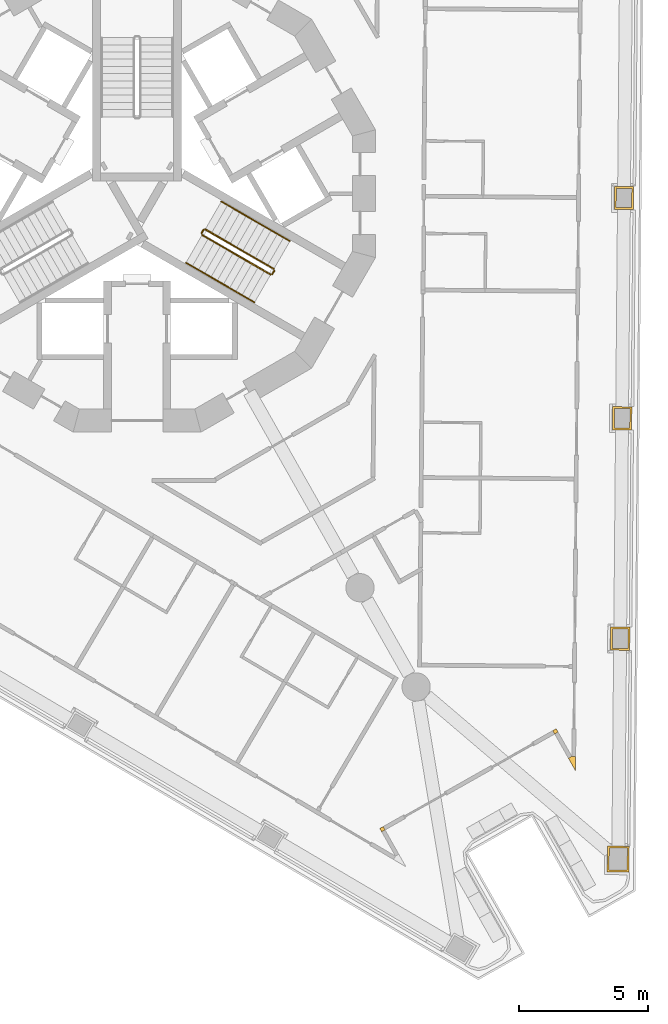
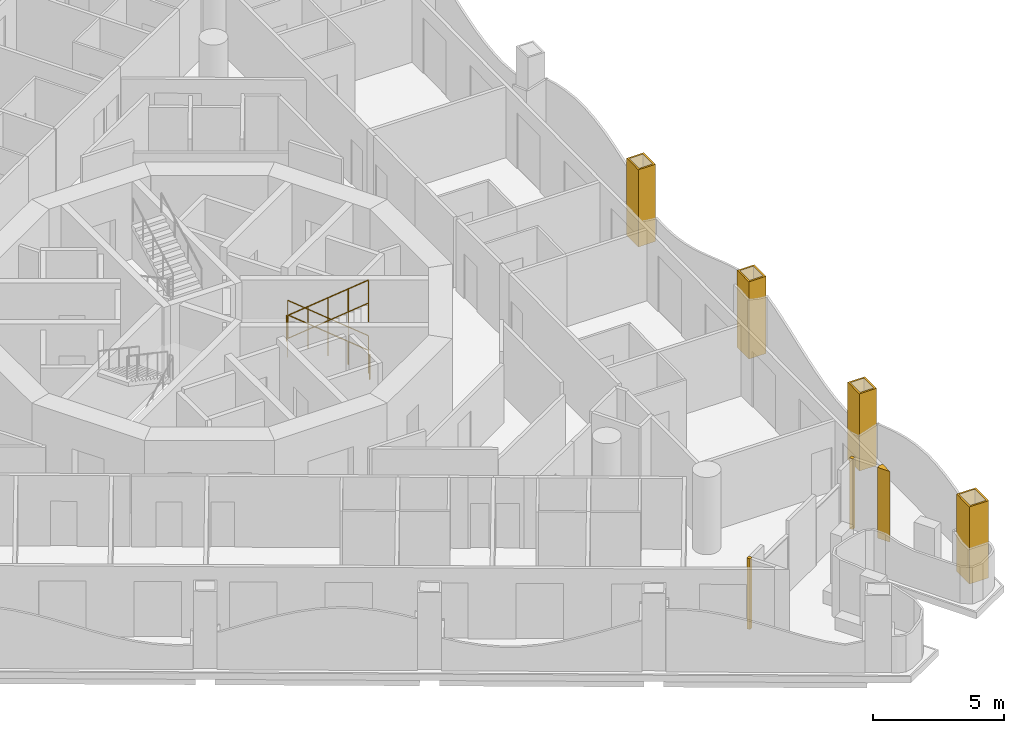
# One storey, part 14 of 17: 8 railings, 7 coverings.
"""IFC4 building model written with IfcOpenShell, lengths in metres."""

from ifc_helpers import new_model, si_unit, direction, frame, origin, origin_2d, place, context, subcontext, project, spatial, polyline, circle, outline, extrude, material, layer, layer_set, type_object, element, save


model = new_model("IFC4")

# Units and contexts
model_context = context("Model", 3, precision=1e-05, world=origin(), true_north=direction((0.0, 1.0)))
body_context = subcontext(model_context, "Body", "Model", "MODEL_VIEW")
ifc_project = project(units=[si_unit("LENGTHUNIT", "METRE"), si_unit("AREAUNIT", "SQUARE_METRE"), si_unit("VOLUMEUNIT", "CUBIC_METRE"), si_unit("PLANEANGLEUNIT", "RADIAN"), si_unit("MASSUNIT", "GRAM", prefix="KILO")], contexts=[model_context])

# Site, building, storey
site_placement = place(None, origin())
site = spatial("IfcSite", under=ifc_project, at=site_placement, CompositionType="ELEMENT")
building_placement = place(site_placement, origin())
building = spatial("IfcBuilding", under=site, at=building_placement, Name="Trine Commons Tower", CompositionType="ELEMENT")
storey_placement = place(building_placement, frame((0.0, 0.0, 182.699951171875)))
storey = spatial("IfcBuildingStorey", under=building, at=storey_placement, Name="L47", CompositionType="ELEMENT", Elevation=182.699951171875)

# Coverings
ifc_material_1 = material(Name="Aluminium-framed insulated wall panel", Category="aluminium")
ifc_layer_1 = layer(ifc_material_1, 0.14990234375)
ifc_layer_set_1 = layer_set([ifc_layer_1], Name="Aluminium-framed insulated wall panel")
covering_type_1 = type_object("IfcCoveringType", Name="Glazing corner post, aluminium", PredefinedType="CLADDING", material=ifc_layer_set_1)
covering_1_placement = place(storey_placement, origin())
element("IfcCovering", 1, at=covering_1_placement, inside=storey, type_object=covering_type_1, Name="Glazing corner post 5-09", PredefinedType="CLADDING", context=body_context, shape_type="SweptSolid", body=[
    extrude(outline(polyline([(96.776611328125, 40.5439453125), (97.05224609375, 40.056640625), (97.05712890625, 40.616455078125), (96.9072265625, 40.617919921875), (96.9072265625, 40.617919921875), (96.776611328125, 40.5439453125)])), origin(), (0.0, 0.0, 1.0), 3.300048828125),
])
covering_2_placement = place(storey_placement, origin())
element("IfcCovering", 2, at=covering_2_placement, inside=storey, type_object=covering_type_1, Name="Glazing corner post 5-10", PredefinedType="CLADDING", context=body_context, shape_type="SweptSolid", body=[
    extrude(outline(polyline([(96.168212890625, 41.619384765625), (96.241943359375, 41.489013671875), (96.37255859375, 41.562744140625), (96.298583984375, 41.693359375), (96.168212890625, 41.619384765625)])), origin(), (0.0, 0.0, 1.0), 3.300048828125),
])
covering_3_placement = place(storey_placement, origin())
element("IfcCovering", 3, at=covering_3_placement, inside=storey, type_object=covering_type_1, Name="Glazing corner post 5-11", PredefinedType="CLADDING", context=body_context, shape_type="SweptSolid", body=[
    extrude(outline(polyline([(89.51416015625, 37.6826171875), (89.644775390625, 37.75634765625), (89.57080078125, 37.886962890625), (89.440185546875, 37.81298828125), (89.51416015625, 37.6826171875)])), origin(), (0.0, 0.0, 1.0), 3.300048828125),
])
ifc_material_2 = material(Name="Limestone, honed", Category="masonry")
ifc_layer_2 = layer(ifc_material_2, 0.074951171875)
ifc_layer_set_2 = layer_set([ifc_layer_2], Name="Limestone, honed")
covering_type_2 = type_object("IfcCoveringType", Name="Limestone column cladding 75", PredefinedType="CLADDING", material=ifc_layer_set_2)
covering_4_placement = place(storey_placement, origin())
element("IfcCovering", 4, at=covering_4_placement, inside=storey, type_object=covering_type_2, Name="Limestone pier cladding 5-18", PredefinedType="CLADDING", context=body_context, shape_type="SweptSolid", body=[
    extrude(outline(polyline([(99.315673828125, 62.781494140625), (98.565673828125, 62.7880859375), (98.557861328125, 61.887939453125), (99.307861328125, 61.88134765625), (99.315673828125, 62.781494140625)]), holes=[polyline([(99.239990234375, 62.70703125), (98.64013671875, 62.71240234375), (98.633544921875, 61.96240234375), (99.2333984375, 61.95703125), (99.239990234375, 62.70703125)])]), origin(), (0.0, 0.0, 1.0), 3.60009765625),
])
covering_5_placement = place(storey_placement, origin())
element("IfcCovering", 5, at=covering_5_placement, inside=storey, type_object=covering_type_2, Name="Limestone pier cladding 5-19", PredefinedType="CLADDING", context=body_context, shape_type="SweptSolid", body=[
    extrude(outline(polyline([(99.240966796875, 54.211181640625), (98.490966796875, 54.2177734375), (98.483154296875, 53.31787109375), (99.233154296875, 53.311279296875), (99.240966796875, 54.211181640625)]), holes=[polyline([(99.165283203125, 54.136962890625), (98.565185546875, 54.14208984375), (98.55859375, 53.39208984375), (99.15869140625, 53.386962890625), (99.165283203125, 54.136962890625)])]), origin(), (0.0, 0.0, 1.0), 3.60009765625),
])
covering_6_placement = place(storey_placement, origin())
element("IfcCovering", 6, at=covering_6_placement, inside=storey, type_object=covering_type_2, Name="Limestone pier cladding 5-20", PredefinedType="CLADDING", context=body_context, shape_type="SweptSolid", body=[
    extrude(outline(polyline([(99.166015625, 45.640869140625), (98.416015625, 45.6474609375), (98.408203125, 44.74755859375), (99.158203125, 44.740966796875), (99.166015625, 45.640869140625)]), holes=[polyline([(99.090576171875, 45.566650390625), (98.490478515625, 45.57177734375), (98.48388671875, 44.82177734375), (99.083984375, 44.816650390625), (99.090576171875, 45.566650390625)])]), origin(), (0.0, 0.0, 1.0), 3.60009765625),
])
covering_7_placement = place(storey_placement, origin())
element("IfcCovering", 7, at=covering_7_placement, inside=storey, type_object=covering_type_2, Name="Limestone pier cladding 5-21", PredefinedType="CLADDING", context=body_context, shape_type="SweptSolid", body=[
    extrude(outline(polyline([(99.1416015625, 37.1201171875), (98.291748046875, 37.127685546875), (98.283203125, 36.127685546875), (99.133056640625, 36.1201171875), (99.1416015625, 37.1201171875)]), holes=[polyline([(99.066162109375, 37.0458984375), (98.3662109375, 37.052001953125), (98.358642578125, 36.201904296875), (99.05859375, 36.19580078125), (99.066162109375, 37.0458984375)])]), origin(), (0.0, 0.0, 1.0), 3.60009765625),
])

# Railings
ifc_material_3 = material(Name="Stainless steel balustrade", Category="steel")
railing_type_1 = type_object("IfcRailingType", Name="Stair guard, steel balustrade 1100", PredefinedType="GUARDRAIL", material=ifc_material_3)
railing_1_placement = place(storey_placement, frame((85.31982421875, 59.572998046875, 0.150146484375)))
element("IfcRailing", 8, at=railing_1_placement, inside=storey, type_object=railing_type_1, Name="L47 ST3B stair guard 1", PredefinedType="GUARDRAIL", context=body_context, shape_type="SweptSolid", body=[
    extrude(circle(Radius=0.02392578125, at=origin_2d()), frame((0.0, 0.0, 1.076171875), z_axis=(-0.76340495495, 0.440743040072, 0.472184759798), x_axis=(-0.499992328818, -0.866029832698, 0.0)), (0.0, 0.0, 1.0), 3.494140625),
    extrude(circle(Radius=0.02099609375, at=origin_2d()), origin(), (0.0, 0.0, 1.0), 1.052001953125),
    extrude(circle(Radius=0.02099609375, at=origin_2d()), frame((-0.6669921875, 0.385009765625, 0.41259765625)), (0.0, 0.0, 1.0), 1.052001953125),
    extrude(circle(Radius=0.02099609375, at=origin_2d()), frame((-1.333740234375, 0.77001953125, 0.824951171875)), (0.0, 0.0, 1.0), 1.052001953125),
    extrude(circle(Radius=0.02099609375, at=origin_2d()), frame((-2.00048828125, 1.155029296875, 1.2373046875)), (0.0, 0.0, 1.0), 1.052001953125),
    extrude(circle(Radius=0.02099609375, at=origin_2d()), frame((-2.66748046875, 1.5400390625, 1.64990234375)), (0.0, 0.0, 1.0), 1.052001953125),
])
railing_2_placement = place(storey_placement, frame((82.584228515625, 61.0947265625, 1.800048828125)))
element("IfcRailing", 9, at=railing_2_placement, inside=storey, type_object=railing_type_1, Name="L47 ST3B stair guard 2", PredefinedType="GUARDRAIL", context=body_context, shape_type="SweptSolid", body=[
    extrude(circle(Radius=0.02392578125, at=origin_2d()), frame((0.0, 0.0, 1.076171875), z_axis=(-0.501036270542, -0.865426285481, 0.0), x_axis=(0.865426285481, -0.501036270542, 0.0)), (0.0, 0.0, 1.0), 0.150146484375),
    extrude(circle(Radius=0.02099609375, at=origin_2d()), origin(), (0.0, 0.0, 1.0), 1.052001953125),
    extrude(circle(Radius=0.02099609375, at=origin_2d()), frame((-0.0751953125, -0.1298828125, 0.0)), (0.0, 0.0, 1.0), 1.052001953125),
])
railing_3_placement = place(storey_placement, frame((82.52734375, 60.896484375, 1.949951171875)))
element("IfcRailing", 10, at=railing_3_placement, inside=storey, type_object=railing_type_1, Name="L47 ST3B stair guard 3", PredefinedType="GUARDRAIL", context=body_context, shape_type="SweptSolid", body=[
    extrude(circle(Radius=0.02392578125, at=origin_2d()), frame((0.0, 0.0, 1.076171875), z_axis=(0.763379768245, -0.440728498818, 0.472239049384), x_axis=(0.499992328818, 0.866029832698, 0.0)), (0.0, 0.0, 1.0), 3.494384765625),
    extrude(circle(Radius=0.02099609375, at=origin_2d()), origin(), (0.0, 0.0, 1.0), 1.052001953125),
    extrude(circle(Radius=0.02099609375, at=origin_2d()), frame((0.6669921875, -0.385009765625, 0.41259765625)), (0.0, 0.0, 1.0), 1.052001953125),
    extrude(circle(Radius=0.02099609375, at=origin_2d()), frame((1.333740234375, -0.77001953125, 0.8251953125)), (0.0, 0.0, 1.0), 1.052001953125),
    extrude(circle(Radius=0.02099609375, at=origin_2d()), frame((2.00048828125, -1.155029296875, 1.237548828125)), (0.0, 0.0, 1.0), 1.052001953125),
    extrude(circle(Radius=0.02099609375, at=origin_2d()), frame((2.66748046875, -1.5400390625, 1.650146484375)), (0.0, 0.0, 1.0), 1.052001953125),
])
railing_4_placement = place(storey_placement, frame((85.338134765625, 59.504638671875, 0.0)))
element("IfcRailing", 11, at=railing_4_placement, inside=storey, type_object=railing_type_1, Name="L47 ST3B stair guard 4", PredefinedType="GUARDRAIL", context=body_context, shape_type="SweptSolid", body=[
    extrude(circle(Radius=0.02392578125, at=origin_2d()), frame((0.0, 0.0, 1.076171875), z_axis=(-0.499816412211, -0.866131372301, 0.0), x_axis=(0.866131372301, -0.499816412211, 0.0)), (0.0, 0.0, 1.0), 0.14990234375),
    extrude(circle(Radius=0.02099609375, at=origin_2d()), origin(), (0.0, 0.0, 1.0), 1.052001953125),
    extrude(circle(Radius=0.02099609375, at=origin_2d()), frame((-0.074951171875, -0.1298828125, 0.0)), (0.0, 0.0, 1.0), 1.052001953125),
])
ifc_material_4 = material(Name="Stainless steel handrail", Category="steel")
railing_type_2 = type_object("IfcRailingType", Name="Stair handrail, steel 900", PredefinedType="HANDRAIL", material=ifc_material_4)
for number, where, name in (
    (12, (85.94482421875, 60.655517578125, 0.150146484375), "L47 ST3B stair handrail 1"),
    (13, (84.611083984375, 61.425537109375, 0.97509765625), "L47 ST3B stair handrail 2"),
):
    element("IfcRailing", number, at=place(storey_placement, frame(where)), inside=storey, type_object=railing_type_2, Name=name, PredefinedType="HANDRAIL", context=body_context, shape_type="SweptSolid", body=[
        extrude(circle(Radius=0.02099609375, at=origin_2d()), frame((0.0, 0.0, 0.87890625), z_axis=(-0.76340495495, 0.440743040072, 0.472184759798), x_axis=(-0.499992328818, -0.866029832698, 0.0)), (0.0, 0.0, 1.0), 1.7470703125),
        extrude(circle(Radius=0.01513671875, at=origin_2d()), origin(), (0.0, 0.0, 1.0), 0.85791015625),
        extrude(circle(Radius=0.01513671875, at=origin_2d()), frame((-0.6669921875, 0.385009765625, 0.41259765625)), (0.0, 0.0, 1.0), 0.85791015625),
        extrude(circle(Radius=0.01513671875, at=origin_2d()), frame((-1.333740234375, 0.77001953125, 0.824951171875)), (0.0, 0.0, 1.0), 0.85791015625),
    ])
railing_5_placement = place(storey_placement, frame((81.90234375, 59.81396484375, 1.949951171875)))
element("IfcRailing", 14, at=railing_5_placement, inside=storey, type_object=railing_type_2, Name="L47 ST3B stair handrail 3", PredefinedType="HANDRAIL", context=body_context, shape_type="SweptSolid", body=[
    extrude(circle(Radius=0.02099609375, at=origin_2d()), frame((0.0, 0.0, 0.87890625), z_axis=(0.763354580307, -0.440713956853, 0.472293333596), x_axis=(0.499992328818, 0.866029832698, 0.0)), (0.0, 0.0, 1.0), 1.747314453125),
    extrude(circle(Radius=0.01513671875, at=origin_2d()), origin(), (0.0, 0.0, 1.0), 0.85791015625),
    extrude(circle(Radius=0.01513671875, at=origin_2d()), frame((0.6669921875, -0.385009765625, 0.41259765625)), (0.0, 0.0, 1.0), 0.85791015625),
    extrude(circle(Radius=0.01513671875, at=origin_2d()), frame((1.333740234375, -0.77001953125, 0.8251953125)), (0.0, 0.0, 1.0), 0.85791015625),
])
railing_6_placement = place(storey_placement, frame((83.236083984375, 59.0439453125, 2.775146484375)))
element("IfcRailing", 15, at=railing_6_placement, inside=storey, type_object=railing_type_2, Name="L47 ST3B stair handrail 4", PredefinedType="HANDRAIL", context=body_context, shape_type="SweptSolid", body=[
    extrude(circle(Radius=0.02099609375, at=origin_2d()), frame((0.0, 0.0, 0.87890625), z_axis=(0.76340495495, -0.440743040072, 0.472184759798), x_axis=(0.499992328818, 0.866029832698, 0.0)), (0.0, 0.0, 1.0), 1.7470703125),
    extrude(circle(Radius=0.01513671875, at=origin_2d()), origin(), (0.0, 0.0, 1.0), 0.85791015625),
    extrude(circle(Radius=0.01513671875, at=origin_2d()), frame((0.6669921875, -0.385009765625, 0.41259765625)), (0.0, 0.0, 1.0), 0.85791015625),
    extrude(circle(Radius=0.01513671875, at=origin_2d()), frame((1.333740234375, -0.77001953125, 0.824951171875)), (0.0, 0.0, 1.0), 0.85791015625),
])

save(model, "model.ifc")
